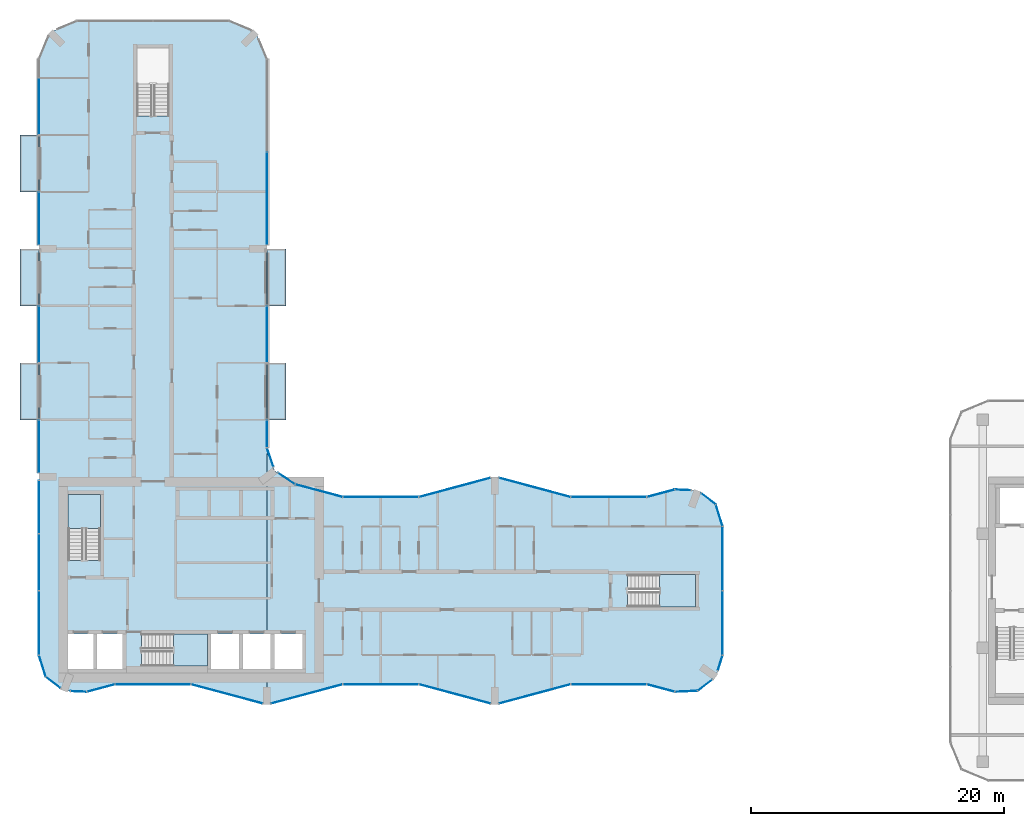
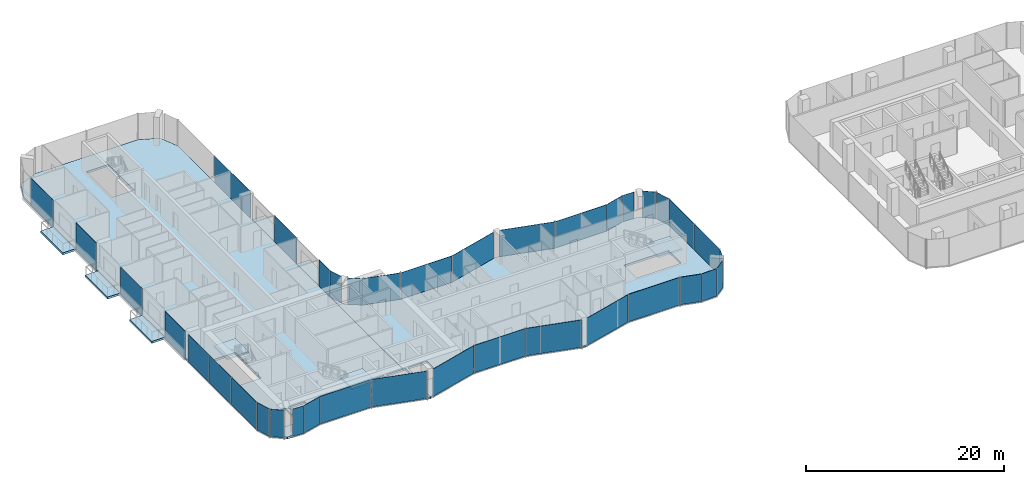
# One storey, part 11 of 23: 38 plates, 10 slabs, 38 elements without a shape of their own.
"""IFC4 building model written with IfcOpenShell, lengths in metres."""

from ifc_helpers import new_model, si_unit, direction, frame, origin, origin_2d, place, context, subcontext, project, spatial, polyline, rectangle, outline, extrude, material, layer, layer_set, type_object, element, aggregate, save


model = new_model("IFC4")

# Units and contexts
model_context = context("Model", 3, precision=1e-05, world=origin(), true_north=direction((0.0, 1.0)))
body_context = subcontext(model_context, "Body", "Model", "MODEL_VIEW")
ifc_project = project(units=[si_unit("LENGTHUNIT", "METRE"), si_unit("AREAUNIT", "SQUARE_METRE"), si_unit("VOLUMEUNIT", "CUBIC_METRE"), si_unit("PLANEANGLEUNIT", "RADIAN"), si_unit("MASSUNIT", "GRAM", prefix="KILO")], contexts=[model_context])

# Site, building, storey
site_placement = place(None, origin())
site = spatial("IfcSite", under=ifc_project, at=site_placement, CompositionType="ELEMENT")
building_placement = place(site_placement, origin())
building = spatial("IfcBuilding", under=site, at=building_placement, Name="Plateau Cross Towers", CompositionType="ELEMENT")
storey_placement = place(building_placement, frame((0.0, 0.0, 33.800048828125)))
storey = spatial("IfcBuildingStorey", under=building, at=storey_placement, Name="L07", CompositionType="ELEMENT", Elevation=33.800048828125)

# Slabs
ifc_material_1 = material(Name="Concrete C40/50", Category="concrete")
ifc_layer_1 = layer(ifc_material_1, 0.25)
ifc_layer_set_1 = layer_set([ifc_layer_1], Name="Concrete C40/50")
slab_type_1 = type_object("IfcSlabType", Name="Balcony slab 250", PredefinedType="FLOOR", material=ifc_layer_set_1)
slab_1_placement = place(storey_placement, frame((0.0, 0.0, -0.25)))
element("IfcSlab", 1, at=slab_1_placement, inside=storey, type_object=slab_type_1, Name="Balcony slab A-BAL-L07-01", PredefinedType="FLOOR", context=body_context, shape_type="SweptSolid", body=[
    extrude(outline(polyline([(0.0, 22.5), (0.0, 27.0), (-1.5, 27.0), (-1.5, 22.5), (0.0, 22.5)])), origin(), (0.0, 0.0, 1.0), 0.25),
])
slab_2_placement = place(storey_placement, frame((0.0, 0.0, -0.25)))
element("IfcSlab", 2, at=slab_2_placement, inside=storey, type_object=slab_type_1, Name="Balcony slab A-BAL-L07-02", PredefinedType="FLOOR", context=body_context, shape_type="SweptSolid", body=[
    extrude(outline(polyline([(0.0, 31.5), (0.0, 36.0), (-1.5, 36.0), (-1.5, 31.5), (0.0, 31.5)])), origin(), (0.0, 0.0, 1.0), 0.25),
])
slab_3_placement = place(storey_placement, frame((0.0, 0.0, -0.25)))
element("IfcSlab", 3, at=slab_3_placement, inside=storey, type_object=slab_type_1, Name="Balcony slab A-BAL-L07-03", PredefinedType="FLOOR", context=body_context, shape_type="SweptSolid", body=[
    extrude(outline(polyline([(0.0, 40.5), (0.0, 45.0), (-1.5, 45.0), (-1.5, 40.5), (0.0, 40.5)])), origin(), (0.0, 0.0, 1.0), 0.25),
])
slab_4_placement = place(storey_placement, frame((0.0, 0.0, -0.25)))
element("IfcSlab", 4, at=slab_4_placement, inside=storey, type_object=slab_type_1, Name="Balcony slab A-BAL-L07-04", PredefinedType="FLOOR", context=body_context, shape_type="SweptSolid", body=[
    extrude(outline(polyline([(19.5, 22.5), (19.5, 27.0), (18.0, 27.0), (18.0, 22.5), (19.5, 22.5)])), origin(), (0.0, 0.0, 1.0), 0.25),
])
slab_5_placement = place(storey_placement, frame((0.0, 0.0, -0.25)))
element("IfcSlab", 5, at=slab_5_placement, inside=storey, type_object=slab_type_1, Name="Balcony slab A-BAL-L07-05", PredefinedType="FLOOR", context=body_context, shape_type="SweptSolid", body=[
    extrude(outline(polyline([(19.5, 31.5), (19.5, 36.0), (18.0, 36.0), (18.0, 31.5), (19.5, 31.5)])), origin(), (0.0, 0.0, 1.0), 0.25),
])

# Curtain wall, plate
ifc_material_2 = material(Name="Dark low-iron glass", Category="glass")
ifc_layer_2 = layer(ifc_material_2, 0.239990234375)
ifc_layer_set_2 = layer_set([ifc_layer_2], Name="Dark low-iron glass")
curtain_wall_type_1 = type_object("IfcCurtainWallType", Name="Curtain wall flush unitised CW-B", PredefinedType="NOTDEFINED", material=ifc_layer_set_2)
curtain_wall_1_placement = place(storey_placement, origin())
curtain_wall_1 = element("IfcCurtainWall", 6, at=curtain_wall_1_placement, inside=storey, type_object=curtain_wall_type_1, Name="ENV/A/L07/A502_10", PredefinedType="NOTDEFINED")
ifc_layer_3 = layer(ifc_material_2, 0.031982421875)
ifc_layer_set_3 = layer_set([ifc_layer_3], Name="Dark low-iron glass")
plate_type_1 = type_object("IfcPlateType", Name="Glass panel 32 flush unitised", PredefinedType="CURTAIN_PANEL", material=ifc_layer_set_3)
plate_1_placement = place(storey_placement, frame((51.125, 1.05078125, -0.1298828125), z_axis=(0.0, 0.0, 1.0), x_axis=(0.999043701491, 0.043722791671, 0.0)))
plate_1 = element("IfcPlate", 7, at=plate_1_placement, type_object=plate_type_1, Name="CW-B panel 1", PredefinedType="CURTAIN_PANEL", context=body_context, shape_type="SweptSolid", body=[
    extrude(rectangle(XDim=1.744140625, YDim=0.031982421875, at=origin_2d()), origin(), (0.0, 0.0, 1.0), 3.3798828125),
])
aggregate(curtain_wall_1, [plate_1])

curtain_wall_2_placement = place(storey_placement, origin())
curtain_wall_2 = element("IfcCurtainWall", 8, at=curtain_wall_2_placement, inside=storey, type_object=curtain_wall_type_1, Name="ENV/A/L07/A520_11", PredefinedType="NOTDEFINED")
plate_2_placement = place(storey_placement, frame((52.60986328125, 1.5380859375, -0.1298828125), z_axis=(0.0, 0.0, 1.0), x_axis=(0.793315514529, 0.608810721331, 0.0)))
plate_2 = element("IfcPlate", 9, at=plate_2_placement, type_object=plate_type_1, Name="CW-B panel 1", PredefinedType="CURTAIN_PANEL", context=body_context, shape_type="SweptSolid", body=[
    extrude(rectangle(XDim=1.41162109375, YDim=0.031982421875, at=origin_2d()), origin(), (0.0, 0.0, 1.0), 3.3798828125),
])
aggregate(curtain_wall_2, [plate_2])

curtain_wall_3_placement = place(storey_placement, origin())
curtain_wall_3 = element("IfcCurtainWall", 10, at=curtain_wall_3_placement, inside=storey, type_object=curtain_wall_type_1, Name="ENV/A/L07/A536_27", PredefinedType="NOTDEFINED")
plate_3_placement = place(storey_placement, frame((53.805419921875, 3.292236328125, -0.1298828125), z_axis=(0.0, 0.0, 1.0), x_axis=(0.300686174994, 0.95372313811, 0.0)))
plate_3 = element("IfcPlate", 11, at=plate_3_placement, type_object=plate_type_1, Name="CW-B panel 1", PredefinedType="CURTAIN_PANEL", context=body_context, shape_type="SweptSolid", body=[
    extrude(rectangle(XDim=1.233642578125, YDim=0.031982421875, at=origin_2d()), origin(), (0.0, 0.0, 1.0), 3.3798828125),
])
aggregate(curtain_wall_3, [plate_3])

# Curtain wall, plates
curtain_wall_4_placement = place(storey_placement, origin())
curtain_wall_4 = element("IfcCurtainWall", 12, at=curtain_wall_4_placement, inside=storey, type_object=curtain_wall_type_1, Name="ENV/A/L07/A540_39", PredefinedType="NOTDEFINED")
plate_4_placement = place(storey_placement, frame((54.0, 6.45458984375, -0.1298828125), z_axis=(0.0, 0.0, 1.0), x_axis=(0.0, 1.0, 0.0)))
plate_4 = element("IfcPlate", 13, at=plate_4_placement, type_object=plate_type_1, Name="CW-B panel 1", PredefinedType="CURTAIN_PANEL", context=body_context, shape_type="SweptSolid", body=[
    extrude(rectangle(XDim=5.03076171875, YDim=0.031982421875, at=origin_2d()), origin(), (0.0, 0.0, 1.0), 3.3798828125),
])
plate_5_placement = place(storey_placement, frame((54.0, 11.54541015625, -0.1298828125), z_axis=(0.0, 0.0, 1.0), x_axis=(0.0, 1.0, 0.0)))
plate_5 = element("IfcPlate", 14, at=plate_5_placement, type_object=plate_type_1, Name="CW-B panel 2", PredefinedType="CURTAIN_PANEL", context=body_context, shape_type="SweptSolid", body=[
    extrude(rectangle(XDim=5.03076171875, YDim=0.031982421875, at=origin_2d()), origin(), (0.0, 0.0, 1.0), 3.3798828125),
])
aggregate(curtain_wall_4, [plate_4, plate_5])

# Curtain wall, plate
curtain_wall_5_placement = place(storey_placement, origin())
curtain_wall_5 = element("IfcCurtainWall", 15, at=curtain_wall_5_placement, inside=storey, type_object=curtain_wall_type_1, Name="ENV/A/L07/A540_141", PredefinedType="NOTDEFINED")
plate_6_placement = place(storey_placement, frame((53.728759765625, 14.951171875, -0.1298828125), z_axis=(0.0, 0.0, 1.0), x_axis=(-0.300686174994, 0.95372313811, 0.0)))
plate_6 = element("IfcPlate", 16, at=plate_6_placement, type_object=plate_type_1, Name="CW-B panel 1", PredefinedType="CURTAIN_PANEL", context=body_context, shape_type="SweptSolid", body=[
    extrude(rectangle(XDim=1.744140625, YDim=0.031982421875, at=origin_2d()), origin(), (0.0, 0.0, 1.0), 3.3798828125),
])
aggregate(curtain_wall_5, [plate_6])

curtain_wall_6_placement = place(storey_placement, origin())
curtain_wall_6 = element("IfcCurtainWall", 17, at=curtain_wall_6_placement, inside=storey, type_object=curtain_wall_type_1, Name="ENV/A/L07/A535_158", PredefinedType="NOTDEFINED")
plate_7_placement = place(storey_placement, frame((52.873779296875, 16.25927734375, -0.1298828125), z_axis=(0.0, 0.0, 1.0), x_axis=(-0.793315514529, 0.608810721331, 0.0)))
plate_7 = element("IfcPlate", 18, at=plate_7_placement, type_object=plate_type_1, Name="CW-B panel 1", PredefinedType="CURTAIN_PANEL", context=body_context, shape_type="SweptSolid", body=[
    extrude(rectangle(XDim=1.41162109375, YDim=0.031982421875, at=origin_2d()), origin(), (0.0, 0.0, 1.0), 3.3798828125),
])
aggregate(curtain_wall_6, [plate_7])

curtain_wall_7_placement = place(storey_placement, origin())
curtain_wall_7 = element("IfcCurtainWall", 19, at=curtain_wall_7_placement, inside=storey, type_object=curtain_wall_type_1, Name="ENV/A/L07/A515_169", PredefinedType="NOTDEFINED")
plate_8_placement = place(storey_placement, frame((50.8701171875, 16.96044921875, -0.1298828125), z_axis=(0.0, 0.0, 1.0), x_axis=(-0.999043701491, 0.043722791671, 0.0)))
plate_8 = element("IfcPlate", 20, at=plate_8_placement, type_object=plate_type_1, Name="CW-B panel 1", PredefinedType="CURTAIN_PANEL", context=body_context, shape_type="SweptSolid", body=[
    extrude(rectangle(XDim=1.233642578125, YDim=0.031982421875, at=origin_2d()), origin(), (0.0, 0.0, 1.0), 3.3798828125),
])
aggregate(curtain_wall_7, [plate_8])

curtain_wall_8_placement = place(storey_placement, origin())
curtain_wall_8 = element("IfcCurtainWall", 21, at=curtain_wall_8_placement, inside=storey, type_object=curtain_wall_type_1, Name="ENV/A/L07/A202_174", PredefinedType="NOTDEFINED")
plate_9_placement = place(storey_placement, frame((19.546630859375, 17.856689453125, -0.1298828125), z_axis=(0.0, 0.0, 1.0), x_axis=(-0.831521253329, 0.555492938984, 0.0)))
plate_9 = element("IfcPlate", 22, at=plate_9_placement, type_object=plate_type_1, Name="CW-B panel 1", PredefinedType="CURTAIN_PANEL", context=body_context, shape_type="SweptSolid", body=[
    extrude(rectangle(XDim=1.56884765625, YDim=0.031982421875, at=origin_2d()), origin(), (0.0, 0.0, 1.0), 3.3798828125),
])
aggregate(curtain_wall_8, [plate_9])

curtain_wall_9_placement = place(storey_placement, origin())
curtain_wall_9 = element("IfcCurtainWall", 23, at=curtain_wall_9_placement, inside=storey, type_object=curtain_wall_type_1, Name="ENV/A/L07/A185_188", PredefinedType="NOTDEFINED")
plate_10_placement = place(storey_placement, frame((18.26171875, 19.531005859375, -0.1298828125), z_axis=(0.0, 0.0, 1.0), x_axis=(-0.321469161574, 0.94692004845, 0.0)))
plate_10 = element("IfcPlate", 24, at=plate_10_placement, type_object=plate_type_1, Name="CW-B panel 1", PredefinedType="CURTAIN_PANEL", context=body_context, shape_type="SweptSolid", body=[
    extrude(rectangle(XDim=1.56884765625, YDim=0.031982421875, at=origin_2d()), origin(), (0.0, 0.0, 1.0), 3.3798828125),
])
aggregate(curtain_wall_9, [plate_10])

curtain_wall_10_placement = place(storey_placement, origin())
curtain_wall_10 = element("IfcCurtainWall", 25, at=curtain_wall_10_placement, inside=storey, type_object=curtain_wall_type_1, Name="ENV/A/L07/A180_203", PredefinedType="NOTDEFINED")
plate_11_placement = place(storey_placement, frame((18.0, 21.396240234375, -0.1298828125), z_axis=(0.0, 0.0, 1.0), x_axis=(0.0, 1.0, 0.0)))
plate_11 = element("IfcPlate", 26, at=plate_11_placement, type_object=plate_type_1, Name="CW-B panel 1", PredefinedType="CURTAIN_PANEL", context=body_context, shape_type="SweptSolid", body=[
    extrude(rectangle(XDim=2.127685546875, YDim=0.031982421875, at=origin_2d()), origin(), (0.0, 0.0, 1.0), 3.3798828125),
])
aggregate(curtain_wall_10, [plate_11])

curtain_wall_11_placement = place(storey_placement, origin())
curtain_wall_11 = element("IfcCurtainWall", 27, at=curtain_wall_11_placement, inside=storey, type_object=curtain_wall_type_1, Name="ENV/A/L07/A180_270", PredefinedType="NOTDEFINED")
plate_12_placement = place(storey_placement, frame((18.0, 29.25, -0.1298828125), z_axis=(0.0, 0.0, 1.0), x_axis=(0.0, 1.0, 0.0)))
plate_12 = element("IfcPlate", 28, at=plate_12_placement, type_object=plate_type_1, Name="CW-B panel 1", PredefinedType="CURTAIN_PANEL", context=body_context, shape_type="SweptSolid", body=[
    extrude(rectangle(XDim=4.419921875, YDim=0.031982421875, at=origin_2d()), origin(), (0.0, 0.0, 1.0), 3.3798828125),
])
aggregate(curtain_wall_11, [plate_12])

curtain_wall_12_placement = place(storey_placement, origin())
curtain_wall_12 = element("IfcCurtainWall", 29, at=curtain_wall_12_placement, inside=storey, type_object=curtain_wall_type_1, Name="ENV/A/L07/A180_363", PredefinedType="NOTDEFINED")
plate_13_placement = place(storey_placement, frame((18.0, 39.97509765625, -0.1298828125), z_axis=(0.0, 0.0, 1.0), x_axis=(0.0, 1.0, 0.0)))
plate_13 = element("IfcPlate", 30, at=plate_13_placement, type_object=plate_type_1, Name="CW-B panel 1", PredefinedType="CURTAIN_PANEL", context=body_context, shape_type="SweptSolid", body=[
    extrude(rectangle(XDim=7.2900390625, YDim=0.031982421875, at=origin_2d()), origin(), (0.0, 0.0, 1.0), 3.3798828125),
])
aggregate(curtain_wall_12, [plate_13])

curtain_wall_13_placement = place(storey_placement, origin())
curtain_wall_13 = element("IfcCurtainWall", 31, at=curtain_wall_13_placement, inside=storey, type_object=curtain_wall_type_1, Name="ENV/A/L07/A0_510", PredefinedType="NOTDEFINED")
plate_14_placement = place(storey_placement, frame((0.0, 47.2548828125, -0.1298828125), z_axis=(0.0, 0.0, 1.0), x_axis=(0.0, -1.0, 0.0)))
plate_14 = element("IfcPlate", 32, at=plate_14_placement, type_object=plate_type_1, Name="CW-B panel 2", PredefinedType="CURTAIN_PANEL", context=body_context, shape_type="SweptSolid", body=[
    extrude(rectangle(XDim=4.429931640625, YDim=0.031982421875, at=origin_2d()), origin(), (0.0, 0.0, 1.0), 3.3798828125),
])
aggregate(curtain_wall_13, [plate_14])

curtain_wall_14_placement = place(storey_placement, origin())
curtain_wall_14 = element("IfcCurtainWall", 33, at=curtain_wall_14_placement, inside=storey, type_object=curtain_wall_type_1, Name="ENV/A/L07/A0_405", PredefinedType="NOTDEFINED")
plate_15_placement = place(storey_placement, frame((0.0, 38.39501953125, -0.1298828125), z_axis=(0.0, 0.0, 1.0), x_axis=(0.0, -1.0, 0.0)))
plate_15 = element("IfcPlate", 34, at=plate_15_placement, type_object=plate_type_1, Name="CW-B panel 1", PredefinedType="CURTAIN_PANEL", context=body_context, shape_type="SweptSolid", body=[
    extrude(rectangle(XDim=4.1298828125, YDim=0.031982421875, at=origin_2d()), origin(), (0.0, 0.0, 1.0), 3.3798828125),
])
aggregate(curtain_wall_14, [plate_15])

curtain_wall_15_placement = place(storey_placement, origin())
curtain_wall_15 = element("IfcCurtainWall", 35, at=curtain_wall_15_placement, inside=storey, type_object=curtain_wall_type_1, Name="ENV/A/L07/A0_315", PredefinedType="NOTDEFINED")
plate_16_placement = place(storey_placement, frame((0.0, 29.25, -0.1298828125), z_axis=(0.0, 0.0, 1.0), x_axis=(0.0, -1.0, 0.0)))
plate_16 = element("IfcPlate", 36, at=plate_16_placement, type_object=plate_type_1, Name="CW-B panel 1", PredefinedType="CURTAIN_PANEL", context=body_context, shape_type="SweptSolid", body=[
    extrude(rectangle(XDim=4.419921875, YDim=0.031982421875, at=origin_2d()), origin(), (0.0, 0.0, 1.0), 3.3798828125),
])
aggregate(curtain_wall_15, [plate_16])

curtain_wall_16_placement = place(storey_placement, origin())
curtain_wall_16 = element("IfcCurtainWall", 37, at=curtain_wall_16_placement, inside=storey, type_object=curtain_wall_type_1, Name="ENV/A/L07/A0_225", PredefinedType="NOTDEFINED")
plate_17_placement = place(storey_placement, frame((0.0, 20.39501953125, -0.1298828125), z_axis=(0.0, 0.0, 1.0), x_axis=(0.0, -1.0, 0.0)))
plate_17 = element("IfcPlate", 38, at=plate_17_placement, type_object=plate_type_1, Name="CW-B panel 1", PredefinedType="CURTAIN_PANEL", context=body_context, shape_type="SweptSolid", body=[
    extrude(rectangle(XDim=4.1298828125, YDim=0.031982421875, at=origin_2d()), origin(), (0.0, 0.0, 1.0), 3.3798828125),
])
aggregate(curtain_wall_16, [plate_17])

# Curtain wall, plates
curtain_wall_17_placement = place(storey_placement, origin())
curtain_wall_17 = element("IfcCurtainWall", 39, at=curtain_wall_17_placement, inside=storey, type_object=curtain_wall_type_1, Name="ENV/A/L07/A0_177", PredefinedType="NOTDEFINED")
plate_18_placement = place(storey_placement, frame((0.0, 15.60009765625, -0.1298828125), z_axis=(0.0, 0.0, 1.0), x_axis=(0.0, -1.0, 0.0)))
plate_18 = element("IfcPlate", 40, at=plate_18_placement, type_object=plate_type_1, Name="CW-B panel 1", PredefinedType="CURTAIN_PANEL", context=body_context, shape_type="SweptSolid", body=[
    extrude(rectangle(XDim=4.139892578125, YDim=0.031982421875, at=origin_2d()), origin(), (0.0, 0.0, 1.0), 3.3798828125),
])
plate_19_placement = place(storey_placement, frame((0.0, 11.25, -0.1298828125), z_axis=(0.0, 0.0, 1.0), x_axis=(0.0, -1.0, 0.0)))
plate_19 = element("IfcPlate", 41, at=plate_19_placement, type_object=plate_type_1, Name="CW-B panel 2", PredefinedType="CURTAIN_PANEL", context=body_context, shape_type="SweptSolid", body=[
    extrude(rectangle(XDim=4.43994140625, YDim=0.031982421875, at=origin_2d()), origin(), (0.0, 0.0, 1.0), 3.3798828125),
])
plate_20_placement = place(storey_placement, frame((0.0, 6.45458984375, -0.1298828125), z_axis=(0.0, 0.0, 1.0), x_axis=(0.0, -1.0, 0.0)))
plate_20 = element("IfcPlate", 42, at=plate_20_placement, type_object=plate_type_1, Name="CW-B panel 3", PredefinedType="CURTAIN_PANEL", context=body_context, shape_type="SweptSolid", body=[
    extrude(rectangle(XDim=5.03076171875, YDim=0.031982421875, at=origin_2d()), origin(), (0.0, 0.0, 1.0), 3.3798828125),
])
aggregate(curtain_wall_17, [plate_18, plate_19, plate_20])

# Curtain wall, plate
curtain_wall_18_placement = place(storey_placement, origin())
curtain_wall_18 = element("IfcCurtainWall", 43, at=curtain_wall_18_placement, inside=storey, type_object=curtain_wall_type_1, Name="ENV/A/L07/A0_39", PredefinedType="NOTDEFINED")
plate_21_placement = place(storey_placement, frame((0.271240234375, 3.048828125, -0.1298828125), z_axis=(0.0, 0.0, 1.0), x_axis=(0.300686174994, -0.95372313811, 0.0)))
plate_21 = element("IfcPlate", 44, at=plate_21_placement, type_object=plate_type_1, Name="CW-B panel 1", PredefinedType="CURTAIN_PANEL", context=body_context, shape_type="SweptSolid", body=[
    extrude(rectangle(XDim=1.744140625, YDim=0.031982421875, at=origin_2d()), origin(), (0.0, 0.0, 1.0), 3.3798828125),
])
aggregate(curtain_wall_18, [plate_21])

curtain_wall_19_placement = place(storey_placement, origin())
curtain_wall_19 = element("IfcCurtainWall", 45, at=curtain_wall_19_placement, inside=storey, type_object=curtain_wall_type_1, Name="ENV/A/L07/A5_22", PredefinedType="NOTDEFINED")
plate_22_placement = place(storey_placement, frame((1.126220703125, 1.74072265625, -0.1298828125), z_axis=(0.0, 0.0, 1.0), x_axis=(0.793315514529, -0.608810721331, 0.0)))
plate_22 = element("IfcPlate", 46, at=plate_22_placement, type_object=plate_type_1, Name="CW-B panel 1", PredefinedType="CURTAIN_PANEL", context=body_context, shape_type="SweptSolid", body=[
    extrude(rectangle(XDim=1.41162109375, YDim=0.031982421875, at=origin_2d()), origin(), (0.0, 0.0, 1.0), 3.3798828125),
])
aggregate(curtain_wall_19, [plate_22])

curtain_wall_20_placement = place(storey_placement, origin())
curtain_wall_20 = element("IfcCurtainWall", 47, at=curtain_wall_20_placement, inside=storey, type_object=curtain_wall_type_1, Name="ENV/A/L07/A25_11", PredefinedType="NOTDEFINED")
plate_23_placement = place(storey_placement, frame((3.1298828125, 1.03955078125, -0.1298828125), z_axis=(0.0, 0.0, 1.0), x_axis=(0.999043701491, -0.043722791671, 0.0)))
plate_23 = element("IfcPlate", 48, at=plate_23_placement, type_object=plate_type_1, Name="CW-B panel 1", PredefinedType="CURTAIN_PANEL", context=body_context, shape_type="SweptSolid", body=[
    extrude(rectangle(XDim=1.233642578125, YDim=0.031982421875, at=origin_2d()), origin(), (0.0, 0.0, 1.0), 3.3798828125),
])
aggregate(curtain_wall_20, [plate_23])

ifc_layer_4 = layer(ifc_material_2, 0.260009765625)
ifc_layer_set_4 = layer_set([ifc_layer_4], Name="Dark low-iron glass")
curtain_wall_type_2 = type_object("IfcCurtainWallType", Name="Curtain wall fluted unitised CW-A", PredefinedType="NOTDEFINED", material=ifc_layer_set_4)
curtain_wall_21_placement = place(storey_placement, origin())
curtain_wall_21 = element("IfcCurtainWall", 49, at=curtain_wall_21_placement, inside=storey, type_object=curtain_wall_type_2, Name="ENV/A/L07/A38_10", PredefinedType="NOTDEFINED")
ifc_layer_5 = layer(ifc_material_2, 0.035888671875)
ifc_layer_set_5 = layer_set([ifc_layer_5], Name="Dark low-iron glass")
plate_type_2 = type_object("IfcPlateType", Name="Glass panel 36 fluted unitised", PredefinedType="CURTAIN_PANEL", material=ifc_layer_set_5)
plate_24_placement = place(storey_placement, frame((4.887939453125, 1.30908203125, -0.1298828125), z_axis=(0.0, 0.0, 1.0), x_axis=(0.965957962328, 0.258699081978, 0.0)))
plate_24 = element("IfcPlate", 50, at=plate_24_placement, type_object=plate_type_2, Name="CW-A panel 1", PredefinedType="CURTAIN_PANEL", context=body_context, shape_type="SweptSolid", body=[
    extrude(rectangle(XDim=2.2421875, YDim=0.035888671875, at=origin_2d()), origin(), (0.0, 0.0, 1.0), 3.3798828125),
])
aggregate(curtain_wall_21, [plate_24])

curtain_wall_22_placement = place(storey_placement, origin())
curtain_wall_22 = element("IfcCurtainWall", 51, at=curtain_wall_22_placement, inside=storey, type_object=curtain_wall_type_2, Name="ENV/A/L07/A60_16", PredefinedType="NOTDEFINED")
plate_25_placement = place(storey_placement, frame((9.0, 1.60693359375, -0.1298828125), z_axis=(0.0, 0.0, 1.0), x_axis=(1.0, 0.0, 0.0)))
plate_25 = element("IfcPlate", 52, at=plate_25_placement, type_object=plate_type_2, Name="CW-A panel 1", PredefinedType="CURTAIN_PANEL", context=body_context, shape_type="SweptSolid", body=[
    extrude(rectangle(XDim=5.93994140625, YDim=0.035888671875, at=origin_2d()), origin(), (0.0, 0.0, 1.0), 3.3798828125),
])
aggregate(curtain_wall_22, [plate_25])

curtain_wall_23_placement = place(storey_placement, origin())
curtain_wall_23 = element("IfcCurtainWall", 53, at=curtain_wall_23_placement, inside=storey, type_object=curtain_wall_type_2, Name="ENV/A/L07/A120_16", PredefinedType="NOTDEFINED")
plate_26_placement = place(storey_placement, frame((14.841064453125, 0.845947265625, -0.1298828125), z_axis=(0.0, 0.0, 1.0), x_axis=(0.965957983404, -0.258699003279, 0.0)))
plate_26 = element("IfcPlate", 54, at=plate_26_placement, type_object=plate_type_2, Name="CW-A panel 1", PredefinedType="CURTAIN_PANEL", context=body_context, shape_type="SweptSolid", body=[
    extrude(rectangle(XDim=5.822265625, YDim=0.035888671875, at=origin_2d()), origin(), (0.0, 0.0, 1.0), 3.3798828125),
])
aggregate(curtain_wall_23, [plate_26])

curtain_wall_24_placement = place(storey_placement, origin())
curtain_wall_24 = element("IfcCurtainWall", 55, at=curtain_wall_24_placement, inside=storey, type_object=curtain_wall_type_2, Name="ENV/A/L07/A183_1", PredefinedType="NOTDEFINED")
plate_27_placement = place(storey_placement, frame((21.158935546875, 0.845947265625, -0.1298828125), z_axis=(0.0, 0.0, 1.0), x_axis=(0.965957983404, 0.258699003279, 0.0)))
plate_27 = element("IfcPlate", 56, at=plate_27_placement, type_object=plate_type_2, Name="CW-A panel 1", PredefinedType="CURTAIN_PANEL", context=body_context, shape_type="SweptSolid", body=[
    extrude(rectangle(XDim=5.822265625, YDim=0.035888671875, at=origin_2d()), origin(), (0.0, 0.0, 1.0), 3.3798828125),
])
aggregate(curtain_wall_24, [plate_27])

curtain_wall_25_placement = place(storey_placement, origin())
curtain_wall_25 = element("IfcCurtainWall", 57, at=curtain_wall_25_placement, inside=storey, type_object=curtain_wall_type_2, Name="ENV/A/L07/A240_16", PredefinedType="NOTDEFINED")
plate_28_placement = place(storey_placement, frame((27.0, 1.60693359375, -0.1298828125), z_axis=(0.0, 0.0, 1.0), x_axis=(1.0, 0.0, 0.0)))
plate_28 = element("IfcPlate", 58, at=plate_28_placement, type_object=plate_type_2, Name="CW-A panel 1", PredefinedType="CURTAIN_PANEL", context=body_context, shape_type="SweptSolid", body=[
    extrude(rectangle(XDim=5.93994140625, YDim=0.035888671875, at=origin_2d()), origin(), (0.0, 0.0, 1.0), 3.3798828125),
])
aggregate(curtain_wall_25, [plate_28])

curtain_wall_26_placement = place(storey_placement, origin())
curtain_wall_26 = element("IfcCurtainWall", 59, at=curtain_wall_26_placement, inside=storey, type_object=curtain_wall_type_2, Name="ENV/A/L07/A300_16", PredefinedType="NOTDEFINED")
plate_29_placement = place(storey_placement, frame((32.841064453125, 0.845947265625, -0.1298828125), z_axis=(0.0, 0.0, 1.0), x_axis=(0.965957983404, -0.258699003279, 0.0)))
plate_29 = element("IfcPlate", 60, at=plate_29_placement, type_object=plate_type_2, Name="CW-A panel 1", PredefinedType="CURTAIN_PANEL", context=body_context, shape_type="SweptSolid", body=[
    extrude(rectangle(XDim=5.822265625, YDim=0.035888671875, at=origin_2d()), origin(), (0.0, 0.0, 1.0), 3.3798828125),
])
aggregate(curtain_wall_26, [plate_29])

curtain_wall_27_placement = place(storey_placement, origin())
curtain_wall_27 = element("IfcCurtainWall", 61, at=curtain_wall_27_placement, inside=storey, type_object=curtain_wall_type_2, Name="ENV/A/L07/A363_1", PredefinedType="NOTDEFINED")
plate_30_placement = place(storey_placement, frame((39.158935546875, 0.845947265625, -0.1298828125), z_axis=(0.0, 0.0, 1.0), x_axis=(0.965957983404, 0.258699003279, 0.0)))
plate_30 = element("IfcPlate", 62, at=plate_30_placement, type_object=plate_type_2, Name="CW-A panel 1", PredefinedType="CURTAIN_PANEL", context=body_context, shape_type="SweptSolid", body=[
    extrude(rectangle(XDim=5.822265625, YDim=0.035888671875, at=origin_2d()), origin(), (0.0, 0.0, 1.0), 3.3798828125),
])
aggregate(curtain_wall_27, [plate_30])

curtain_wall_28_placement = place(storey_placement, origin())
curtain_wall_28 = element("IfcCurtainWall", 63, at=curtain_wall_28_placement, inside=storey, type_object=curtain_wall_type_2, Name="ENV/A/L07/A420_16", PredefinedType="NOTDEFINED")
plate_31_placement = place(storey_placement, frame((45.0, 1.60693359375, -0.1298828125), z_axis=(0.0, 0.0, 1.0), x_axis=(1.0, 0.0, 0.0)))
plate_31 = element("IfcPlate", 64, at=plate_31_placement, type_object=plate_type_2, Name="CW-A panel 1", PredefinedType="CURTAIN_PANEL", context=body_context, shape_type="SweptSolid", body=[
    extrude(rectangle(XDim=5.93994140625, YDim=0.035888671875, at=origin_2d()), origin(), (0.0, 0.0, 1.0), 3.3798828125),
])
aggregate(curtain_wall_28, [plate_31])

curtain_wall_29_placement = place(storey_placement, origin())
curtain_wall_29 = element("IfcCurtainWall", 65, at=curtain_wall_29_placement, inside=storey, type_object=curtain_wall_type_2, Name="ENV/A/L07/A480_16", PredefinedType="NOTDEFINED")
plate_32_placement = place(storey_placement, frame((49.112060546875, 1.30908203125, -0.1298828125), z_axis=(0.0, 0.0, 1.0), x_axis=(0.965957962328, -0.258699081978, 0.0)))
plate_32 = element("IfcPlate", 66, at=plate_32_placement, type_object=plate_type_2, Name="CW-A panel 1", PredefinedType="CURTAIN_PANEL", context=body_context, shape_type="SweptSolid", body=[
    extrude(rectangle(XDim=2.2421875, YDim=0.035888671875, at=origin_2d()), origin(), (0.0, 0.0, 1.0), 3.3798828125),
])
aggregate(curtain_wall_29, [plate_32])

curtain_wall_30_placement = place(storey_placement, origin())
curtain_wall_30 = element("IfcCurtainWall", 67, at=curtain_wall_30_placement, inside=storey, type_object=curtain_wall_type_2, Name="ENV/A/L07/A502_170", PredefinedType="NOTDEFINED")
plate_33_placement = place(storey_placement, frame((49.112060546875, 16.69091796875, -0.1298828125), z_axis=(0.0, 0.0, 1.0), x_axis=(-0.965957962328, -0.258699081978, 0.0)))
plate_33 = element("IfcPlate", 68, at=plate_33_placement, type_object=plate_type_2, Name="CW-A panel 1", PredefinedType="CURTAIN_PANEL", context=body_context, shape_type="SweptSolid", body=[
    extrude(rectangle(XDim=2.2421875, YDim=0.035888671875, at=origin_2d()), origin(), (0.0, 0.0, 1.0), 3.3798828125),
])
aggregate(curtain_wall_30, [plate_33])

curtain_wall_31_placement = place(storey_placement, origin())
curtain_wall_31 = element("IfcCurtainWall", 69, at=curtain_wall_31_placement, inside=storey, type_object=curtain_wall_type_2, Name="ENV/A/L07/A480_164", PredefinedType="NOTDEFINED")
plate_34_placement = place(storey_placement, frame((45.0, 16.39306640625, -0.1298828125), z_axis=(0.0, 0.0, 1.0), x_axis=(-1.0, 0.0, 0.0)))
plate_34 = element("IfcPlate", 70, at=plate_34_placement, type_object=plate_type_2, Name="CW-A panel 1", PredefinedType="CURTAIN_PANEL", context=body_context, shape_type="SweptSolid", body=[
    extrude(rectangle(XDim=5.93994140625, YDim=0.035888671875, at=origin_2d()), origin(), (0.0, 0.0, 1.0), 3.3798828125),
])
aggregate(curtain_wall_31, [plate_34])

curtain_wall_32_placement = place(storey_placement, origin())
curtain_wall_32 = element("IfcCurtainWall", 71, at=curtain_wall_32_placement, inside=storey, type_object=curtain_wall_type_2, Name="ENV/A/L07/A420_164", PredefinedType="NOTDEFINED")
plate_35_placement = place(storey_placement, frame((39.158935546875, 17.154052734375, -0.1298828125), z_axis=(0.0, 0.0, 1.0), x_axis=(-0.965957983404, 0.258699003279, 0.0)))
plate_35 = element("IfcPlate", 72, at=plate_35_placement, type_object=plate_type_2, Name="CW-A panel 1", PredefinedType="CURTAIN_PANEL", context=body_context, shape_type="SweptSolid", body=[
    extrude(rectangle(XDim=5.822265625, YDim=0.035888671875, at=origin_2d()), origin(), (0.0, 0.0, 1.0), 3.3798828125),
])
aggregate(curtain_wall_32, [plate_35])

curtain_wall_33_placement = place(storey_placement, origin())
curtain_wall_33 = element("IfcCurtainWall", 73, at=curtain_wall_33_placement, inside=storey, type_object=curtain_wall_type_2, Name="ENV/A/L07/A357_179", PredefinedType="NOTDEFINED")
plate_36_placement = place(storey_placement, frame((32.841064453125, 17.154052734375, -0.1298828125), z_axis=(0.0, 0.0, 1.0), x_axis=(-0.965957983404, -0.258699003279, 0.0)))
plate_36 = element("IfcPlate", 74, at=plate_36_placement, type_object=plate_type_2, Name="CW-A panel 1", PredefinedType="CURTAIN_PANEL", context=body_context, shape_type="SweptSolid", body=[
    extrude(rectangle(XDim=5.822265625, YDim=0.035888671875, at=origin_2d()), origin(), (0.0, 0.0, 1.0), 3.3798828125),
])
aggregate(curtain_wall_33, [plate_36])

curtain_wall_34_placement = place(storey_placement, origin())
curtain_wall_34 = element("IfcCurtainWall", 75, at=curtain_wall_34_placement, inside=storey, type_object=curtain_wall_type_2, Name="ENV/A/L07/A300_164", PredefinedType="NOTDEFINED")
plate_37_placement = place(storey_placement, frame((27.0, 16.39306640625, -0.1298828125), z_axis=(0.0, 0.0, 1.0), x_axis=(-1.0, 0.0, 0.0)))
plate_37 = element("IfcPlate", 76, at=plate_37_placement, type_object=plate_type_2, Name="CW-A panel 1", PredefinedType="CURTAIN_PANEL", context=body_context, shape_type="SweptSolid", body=[
    extrude(rectangle(XDim=5.93994140625, YDim=0.035888671875, at=origin_2d()), origin(), (0.0, 0.0, 1.0), 3.3798828125),
])
aggregate(curtain_wall_34, [plate_37])

curtain_wall_35_placement = place(storey_placement, origin())
curtain_wall_35 = element("IfcCurtainWall", 77, at=curtain_wall_35_placement, inside=storey, type_object=curtain_wall_type_2, Name="ENV/A/L07/A240_164", PredefinedType="NOTDEFINED")
plate_38_placement = place(storey_placement, frame((22.112060546875, 16.898681640625, -0.1298828125), z_axis=(0.0, 0.0, 1.0), x_axis=(-0.965957995816, 0.258698956933, 0.0)))
plate_38 = element("IfcPlate", 78, at=plate_38_placement, type_object=plate_type_2, Name="CW-A panel 1", PredefinedType="CURTAIN_PANEL", context=body_context, shape_type="SweptSolid", body=[
    extrude(rectangle(XDim=3.84912109375, YDim=0.035888671875, at=origin_2d()), origin(), (0.0, 0.0, 1.0), 3.3798828125),
])
aggregate(curtain_wall_35, [plate_38])

# Slabs
ifc_layer_6 = layer(ifc_material_1, 0.25)
ifc_layer_set_6 = layer_set([ifc_layer_6], Name="Concrete C40/50")
slab_type_2 = type_object("IfcSlabType", Name="Post-tensioned flat plate slab 250", PredefinedType="FLOOR", material=ifc_layer_set_6)
slab_6_placement = place(storey_placement, frame((0.0, 0.0, -0.25)))
element("IfcSlab", 79, at=slab_6_placement, inside=storey, type_object=slab_type_2, Name="SL-A-L07 1", PredefinedType="FLOOR", context=body_context, shape_type="SweptSolid", body=[
    extrude(outline(polyline([(0.54248046875, 2.1884765625), (0.0, 3.9091796875), (0.0, 51.0), (0.878662109375, 53.121337890625), (3.0, 54.0), (15.0, 54.0), (17.121337890625, 53.121337890625), (18.0, 51.0), (18.0, 20.30224609375), (18.0, 5.60009765625), (16.10009765625, 5.60009765625), (16.10009765625, 2.800048828125), (18.0, 2.800048828125), (18.0, 0.0), (12.0, 1.60693359375), (6.0, 1.60693359375), (3.776123046875, 1.01123046875), (1.9736328125, 1.090087890625), (0.54248046875, 2.1884765625)]), holes=[polyline([(4.300048828125, 5.60009765625), (2.300048828125, 5.60009765625), (2.300048828125, 2.800048828125), (4.300048828125, 2.800048828125), (4.300048828125, 5.60009765625)]), polyline([(6.60009765625, 5.60009765625), (4.60009765625, 5.60009765625), (4.60009765625, 2.800048828125), (6.60009765625, 2.800048828125), (6.60009765625, 5.60009765625)]), polyline([(15.800048828125, 5.60009765625), (13.60009765625, 5.60009765625), (13.60009765625, 2.800048828125), (15.800048828125, 2.800048828125), (15.800048828125, 5.60009765625)]), polyline([(13.300048828125, 5.60009765625), (8.10009765625, 5.60009765625), (8.10009765625, 3.050048828125), (13.300048828125, 3.050048828125), (13.300048828125, 5.60009765625)]), polyline([(4.85009765625, 16.60009765625), (2.300048828125, 16.60009765625), (2.300048828125, 11.39990234375), (4.85009765625, 11.39990234375), (4.85009765625, 16.60009765625)]), polyline([(7.72509765625, 51.699951171875), (7.72509765625, 46.5), (10.27490234375, 46.5), (10.27490234375, 51.699951171875), (7.72509765625, 51.699951171875)])]), origin(), (0.0, 0.0, 1.0), 0.25),
])
slab_7_placement = place(storey_placement, frame((0.0, 0.0, -0.25)))
element("IfcSlab", 80, at=slab_7_placement, inside=storey, type_object=slab_type_2, Name="SL-A-L07 2", PredefinedType="FLOOR", context=body_context, shape_type="SweptSolid", body=[
    extrude(outline(polyline([(18.6201171875, 18.475830078125), (20.223876953125, 17.404296875), (24.0, 16.39306640625), (30.0, 16.39306640625), (36.0, 18.0), (42.0, 16.39306640625), (48.0, 16.39306640625), (50.223876953125, 16.98876953125), (52.0263671875, 16.909912109375), (53.45751953125, 15.8115234375), (54.0, 14.0908203125), (54.0, 3.9091796875), (53.45751953125, 2.1884765625), (52.0263671875, 1.090087890625), (50.223876953125, 1.01123046875), (48.0, 1.60693359375), (42.0, 1.60693359375), (36.0, 0.0), (30.0, 1.60693359375), (24.0, 1.60693359375), (18.0, 0.0), (18.0, 2.800048828125), (18.300048828125, 2.800048828125), (18.300048828125, 5.60009765625), (18.0, 5.60009765625), (18.0, 20.30224609375), (18.6201171875, 18.475830078125)]), holes=[polyline([(20.800048828125, 5.60009765625), (18.60009765625, 5.60009765625), (18.60009765625, 2.800048828125), (20.800048828125, 2.800048828125), (20.800048828125, 5.60009765625)]), polyline([(51.699951171875, 7.72509765625), (51.699951171875, 10.27490234375), (46.5, 10.27490234375), (46.5, 7.72509765625), (51.699951171875, 7.72509765625)])]), origin(), (0.0, 0.0, 1.0), 0.25),
])

# Stair, slab
stair_type = type_object("IfcStairType", Name="ST-TWR", PredefinedType="HALF_TURN_STAIR", material=ifc_material_1)
stair_1_placement = place(storey_placement, origin())
stair_1 = element("IfcStair", 81, at=stair_1_placement, inside=storey, type_object=stair_type, Name="L07 Protected Exit Stair ST-1", PredefinedType="HALF_TURN_STAIR")
ifc_layer_7 = layer(ifc_material_1, 0.199951171875)
ifc_layer_set_7 = layer_set([ifc_layer_7], Name="Concrete C40/50")
slab_type_3 = type_object("IfcSlabType", Name="SL-LANDING", PredefinedType="LANDING", material=ifc_layer_set_7)
slab_8_placement = place(storey_placement, frame((0.0, 0.0, 1.550048828125)))
slab_8 = element("IfcSlab", 82, at=slab_8_placement, type_object=slab_type_3, Name="ST-1 landing 1", PredefinedType="LANDING", context=body_context, shape_type="SweptSolid", body=[
    extrude(outline(polyline([(4.85009765625, 13.919921875), (4.85009765625, 16.60009765625), (2.300048828125, 16.60009765625), (2.300048828125, 13.919921875), (4.85009765625, 13.919921875)])), origin(), (0.0, 0.0, 1.0), 0.199951171875),
])
aggregate(stair_1, [slab_8])

stair_2_placement = place(storey_placement, origin())
stair_2 = element("IfcStair", 83, at=stair_2_placement, inside=storey, type_object=stair_type, Name="L07 Protected Exit Stair ST-2", PredefinedType="HALF_TURN_STAIR")
slab_9_placement = place(storey_placement, frame((0.0, 0.0, 1.550048828125)))
slab_9 = element("IfcSlab", 84, at=slab_9_placement, type_object=slab_type_3, Name="ST-2 landing 1", PredefinedType="LANDING", context=body_context, shape_type="SweptSolid", body=[
    extrude(outline(polyline([(10.6201171875, 3.050048828125), (13.300048828125, 3.050048828125), (13.300048828125, 5.60009765625), (10.6201171875, 5.60009765625), (10.6201171875, 3.050048828125)])), origin(), (0.0, 0.0, 1.0), 0.199951171875),
])
aggregate(stair_2, [slab_9])

stair_3_placement = place(storey_placement, origin())
stair_3 = element("IfcStair", 85, at=stair_3_placement, inside=storey, type_object=stair_type, Name="L07 Protected Exit Stair E", PredefinedType="HALF_TURN_STAIR")
slab_10_placement = place(storey_placement, frame((0.0, 0.0, 1.550048828125)))
slab_10 = element("IfcSlab", 86, at=slab_10_placement, type_object=slab_type_3, Name="ES-E landing 1", PredefinedType="LANDING", context=body_context, shape_type="SweptSolid", body=[
    extrude(outline(polyline([(49.02001953125, 7.72509765625), (51.85009765625, 7.72509765625), (51.85009765625, 10.27490234375), (49.02001953125, 10.27490234375), (49.02001953125, 7.72509765625)])), origin(), (0.0, 0.0, 1.0), 0.199951171875),
])
aggregate(stair_3, [slab_10])

save(model, "model.ifc")
